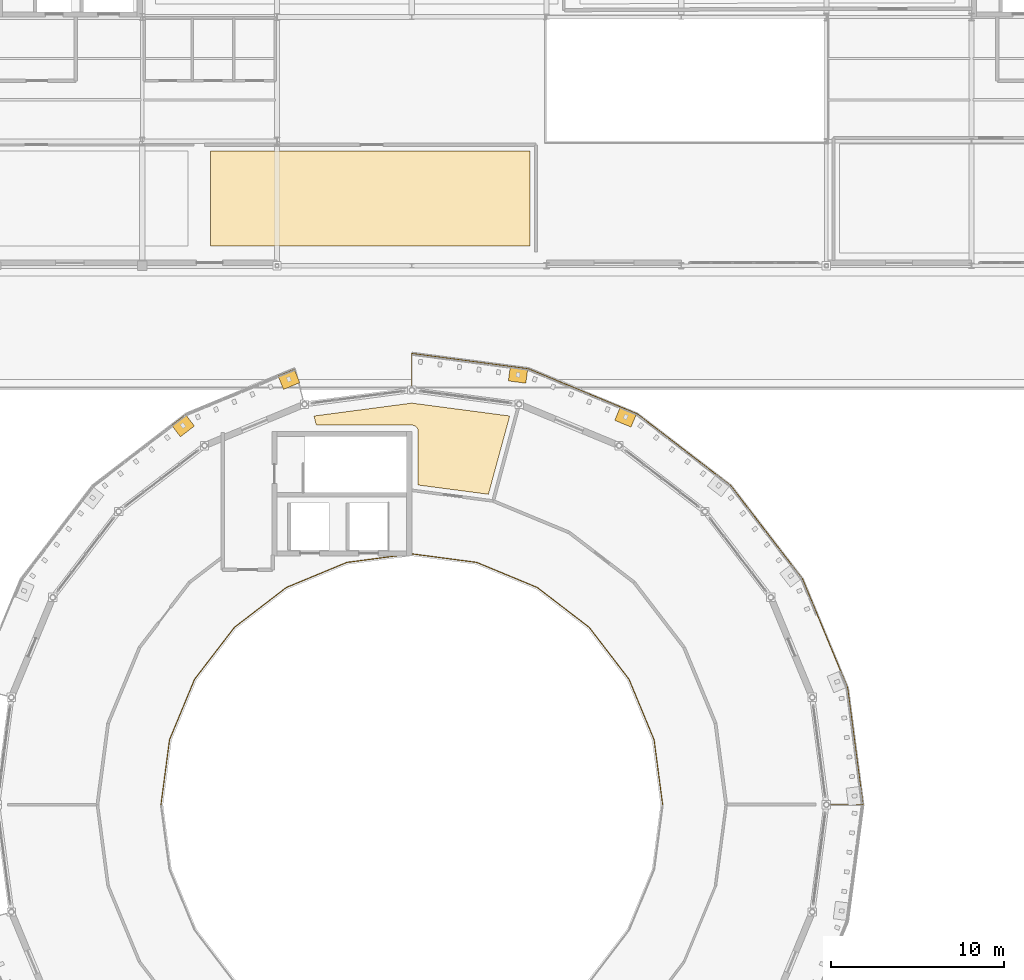
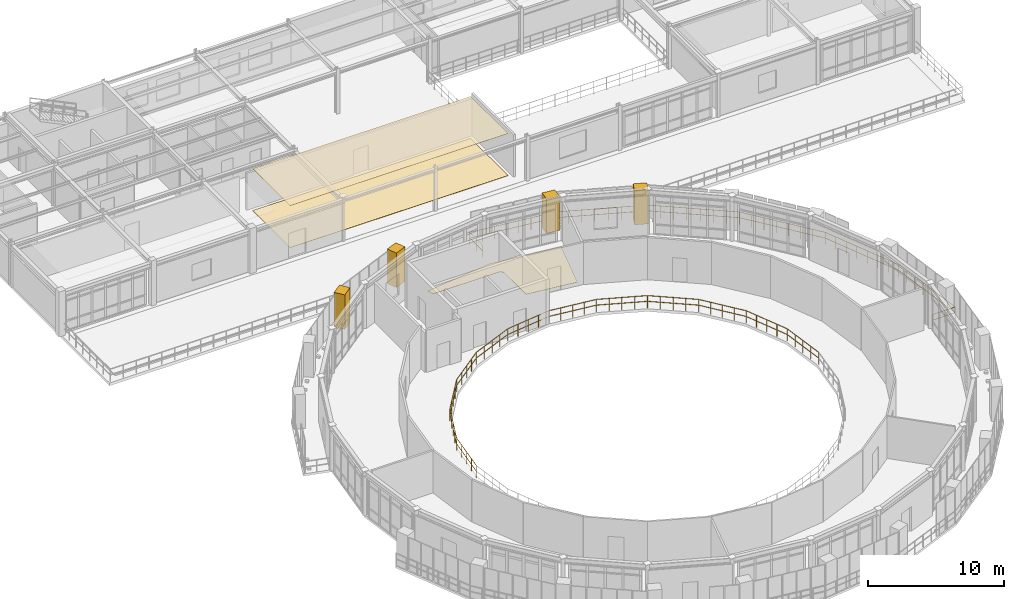
# One storey, part 54 of 58: 4 shading devices, 3 coverings, 2 railings.
"""IFC4 building model written with IfcOpenShell, lengths in metres."""

import ifcopenshell
import ifcopenshell.guid

model = None  # the IFC model being written
_history = None  # IfcOwnerHistory: only IFC2X3 demands one
_inside = {}  # id of a spatial element -> (the spatial element, [elements in it])
_under = {}  # id of a project, library or spatial element -> (it, [spatial elements below it])
_declared = {}  # id of a project -> (the project, [libraries it declares])
_typed = {}  # id of a type object -> (the type object, [elements of that type])
_made_of = {}  # id of a material, layer set ... -> (it, [elements and type objects made of it])


def new_model(schema):
    """Start an empty IFC model of exactly this schema.

    Asked for "IFC4X3", IfcOpenShell would pick the latest addendum, in which some entities
    have other attributes; the version numbers below select the first issue.
    IFC2X3 requires an IfcOwnerHistory on every rooted entity: one is made here for all.
    """
    global model, _history
    if schema == "IFC4X3":
        model = ifcopenshell.file(schema_version=(4, 3, 0, 0))
    else:
        model = ifcopenshell.file(schema=schema)
    _inside.clear()
    _under.clear()
    _declared.clear()
    _typed.clear()
    _made_of.clear()
    _history = None
    if model.schema == "IFC2X3":
        org = make("IfcOrganization", Name="unknown")
        user = make(
            "IfcPersonAndOrganization",
            ThePerson=make("IfcPerson", FamilyName="unknown"),
            TheOrganization=org,
        )
        app = make(
            "IfcApplication",
            ApplicationDeveloper=org,
            Version="unknown",
            ApplicationFullName="unknown",
            ApplicationIdentifier="unknown",
        )
        _history = make(
            "IfcOwnerHistory",
            OwningUser=user,
            OwningApplication=app,
            ChangeAction="ADDED",
            CreationDate=0,
        )
    return model


def make(cls, **values):
    """One entity of the class cls with the attributes given. An attribute that is None is left unset."""
    return model.create_entity(
        cls, **{name: value for name, value in values.items() if value is not None}
    )


def rooted(cls, **values):
    """An entity with a GlobalId (a new one), such as an element, a storey or a relation."""
    return make(cls, GlobalId=ifcopenshell.guid.new(), OwnerHistory=_history, **values)


def si_unit(unit_type, name, prefix=None):
    """IfcSIUnit, for example si_unit("LENGTHUNIT", "METRE", prefix="MILLI")."""
    return make("IfcSIUnit", UnitType=unit_type, Prefix=prefix, Name=name)


def derived_unit(unit_type, elements):
    """IfcDerivedUnit: a product of units, each with its exponent."""
    return make(
        "IfcDerivedUnit",
        Elements=[
            make("IfcDerivedUnitElement", Unit=unit, Exponent=power)
            for unit, power in elements
        ],
        UnitType=unit_type,
    )


def assignment(units):
    """IfcUnitAssignment: the units of a project."""
    return None if units is None else make("IfcUnitAssignment", Units=units)


def point(xyz):
    """IfcCartesianPoint."""
    return None if xyz is None else make("IfcCartesianPoint", Coordinates=xyz)


def direction(xyz):
    """IfcDirection."""
    return None if xyz is None else make("IfcDirection", DirectionRatios=xyz)


def frame(location, z_axis=None, x_axis=None):
    """IfcAxis2Placement3D, a coordinate frame: its origin and axes. An axis left out is left unset."""
    return make(
        "IfcAxis2Placement3D",
        Location=point(location),
        Axis=direction(z_axis),
        RefDirection=direction(x_axis),
    )


def frame_2d(location, x_axis=None):
    """IfcAxis2Placement2D, a coordinate frame in the plane: its origin and x axis."""
    return make(
        "IfcAxis2Placement2D", Location=point(location), RefDirection=direction(x_axis)
    )


def origin():
    """The frame at (0, 0, 0) with its axes left unset."""
    return frame((0.0, 0.0, 0.0))


def origin_2d():
    """The frame at (0, 0) in the plane with its x axis left unset."""
    return frame_2d((0.0, 0.0))


def place(relative_to, where):
    """IfcLocalPlacement: puts the frame where relative to a parent placement (None: the world)."""
    return make(
        "IfcLocalPlacement", PlacementRelTo=relative_to, RelativePlacement=where
    )


def context(
    kind, dimensions, precision=None, world=None, true_north=None, identifier=None
):
    """IfcGeometricRepresentationContext, for example the 3D "Model" context."""
    return make(
        "IfcGeometricRepresentationContext",
        ContextIdentifier=identifier,
        ContextType=kind,
        CoordinateSpaceDimension=dimensions,
        Precision=precision,
        WorldCoordinateSystem=world,
        TrueNorth=true_north,
    )


def subcontext(parent, identifier, kind, view, scale=None):
    """IfcGeometricRepresentationSubContext, for example "Body" below "Model"."""
    return make(
        "IfcGeometricRepresentationSubContext",
        ContextIdentifier=identifier,
        ContextType=kind,
        ParentContext=parent,
        TargetScale=scale,
        TargetView=view,
    )


def project(units=None, contexts=None):
    """IfcProject with its units and contexts."""
    return rooted(
        "IfcProject",
        Name="project",
        RepresentationContexts=contexts,
        UnitsInContext=assignment(units),
    )


def spatial(cls, under=None, at=None, **own):
    """A site, building, storey or space (cls), placed at a placement, below another one or the project."""
    s = rooted(cls, ObjectPlacement=at, **own)
    if under is not None:
        _under.setdefault(under.id(), (under, []))[1].append(s)
    return s


def polyline(points):
    """IfcPolyline through the points."""
    return make("IfcPolyline", Points=[point(p) for p in points])


def profile(cls, at=None, kind="AREA", **sizes):
    """A parametric profile (cls). Its sizes go by their IFC names, for example OverallWidth=200.0."""
    return make(cls, ProfileType=kind, Position=at, **sizes)


def rectangle(**sizes):
    """IfcRectangleProfileDef."""
    return profile("IfcRectangleProfileDef", **sizes)


def circle(**sizes):
    """IfcCircleProfileDef."""
    return profile("IfcCircleProfileDef", **sizes)


def outline(outer, holes=None, kind="AREA"):
    """IfcArbitraryClosedProfileDef: a profile drawn as a closed curve; with holes, ...WithVoids."""
    if holes is None:
        return make("IfcArbitraryClosedProfileDef", ProfileType=kind, OuterCurve=outer)
    return make(
        "IfcArbitraryProfileDefWithVoids",
        ProfileType=kind,
        OuterCurve=outer,
        InnerCurves=holes,
    )


def extrude(swept, where, along, depth):
    """IfcExtrudedAreaSolid: the profile swept, set in the frame where, extruded along a direction by depth."""
    return make(
        "IfcExtrudedAreaSolid",
        SweptArea=swept,
        Position=where,
        ExtrudedDirection=direction(along),
        Depth=depth,
    )


def shape(context_of_items, identifier, shape_type, items):
    """IfcShapeRepresentation: the items that make up one representation, for example the "Body"."""
    return make(
        "IfcShapeRepresentation",
        ContextOfItems=context_of_items,
        RepresentationIdentifier=identifier,
        RepresentationType=shape_type,
        Items=items,
    )


def material(Name=None, Category=None):
    """IfcMaterial."""
    return make("IfcMaterial", Name=Name, Category=Category)


def layer(
    of_material, thickness, ventilated=None, Name=None, Category=None, Priority=None
):
    """IfcMaterialLayer: one layer of a wall or slab, of a material (None: an air gap)."""
    return make(
        "IfcMaterialLayer",
        Material=of_material,
        LayerThickness=thickness,
        IsVentilated=ventilated,
        Name=Name,
        Category=Category,
        Priority=Priority,
    )


def layer_set(layers, Name=None):
    """IfcMaterialLayerSet."""
    return make("IfcMaterialLayerSet", MaterialLayers=layers, LayerSetName=Name)


def made_of(thing, what):
    """Note that an element or type object is made of a material, layer set ...; save() writes the relation."""
    if what is not None:
        _made_of.setdefault(what.id(), (what, []))[1].append(thing)
    return thing


def type_object(cls, material=None, **own):
    """A type object (cls), such as IfcWallType, which elements share."""
    return made_of(rooted(cls, **own), material)


def element(
    cls,
    number,
    at=None,
    inside=None,
    cuts=None,
    type_object=None,
    material=None,
    context=None,
    identifier="Body",
    shape_type=None,
    held_by="IfcProductDefinitionShape",
    body=None,
    shapes=None,
    **own,
):
    """One element of the class cls, such as IfcWall. Its Tag is "e" and its number.

    at: its placement. inside: the storey or other place that contains it. cuts: it is an
    opening in that element (IfcRelVoidsElement). A single representation is given by context,
    identifier, shape_type and body (its items); several are given by shapes. held_by: the class
    of the entity that holds the representations. save() writes the other relations.
    """
    e = rooted(cls, Tag="e%d" % number, ObjectPlacement=at, **own)
    if body is not None:
        shapes = [shape(context, identifier, shape_type, body)]
    if shapes is not None:
        e.Representation = make(held_by, Representations=shapes)
    if inside is not None:
        _inside.setdefault(inside.id(), (inside, []))[1].append(e)
    if cuts is not None:
        rooted(
            "IfcRelVoidsElement", RelatingBuildingElement=cuts, RelatedOpeningElement=e
        )
    if type_object is not None:
        _typed.setdefault(type_object.id(), (type_object, []))[1].append(e)
    return made_of(e, material)


def aggregate(whole, parts):
    """IfcRelAggregates: a whole, such as a stair, and the parts it consists of."""
    return rooted("IfcRelAggregates", RelatingObject=whole, RelatedObjects=parts)


def save(model, path):
    """Write the relations noted so far, then the file.

    IfcRelAggregates (storeys below a building ...), IfcRelContainedInSpatialStructure (elements
    in a storey), IfcRelDefinesByType, IfcRelAssociatesMaterial and IfcRelDeclares: one each for
    every whole, place, type object, material and project.
    """
    for whole, parts in _under.values():
        aggregate(whole, parts)
    for where, things in _inside.values():
        rooted(
            "IfcRelContainedInSpatialStructure",
            RelatedElements=things,
            RelatingStructure=where,
        )
    for kind, things in _typed.values():
        rooted("IfcRelDefinesByType", RelatedObjects=things, RelatingType=kind)
    for what, things in _made_of.values():
        rooted("IfcRelAssociatesMaterial", RelatedObjects=things, RelatingMaterial=what)
    for by, libraries in _declared.values():
        rooted("IfcRelDeclares", RelatingContext=by, RelatedDefinitions=libraries)
    model.write(path)


model = new_model("IFC4")

# Units and contexts
model_context = context("Model", 3, precision=1e-05, world=origin(), true_north=direction((0.0, 1.0)))
body_context = subcontext(model_context, "Body", "Model", "MODEL_VIEW")
ifc_project = project(units=[si_unit("LENGTHUNIT", "METRE"), si_unit("AREAUNIT", "SQUARE_METRE"), si_unit("VOLUMEUNIT", "CUBIC_METRE"), si_unit("PLANEANGLEUNIT", "RADIAN"), si_unit("MASSUNIT", "GRAM", prefix="KILO"), derived_unit("THERMALTRANSMITTANCEUNIT", [(si_unit("POWERUNIT", "WATT"), 1), (si_unit("AREAUNIT", "SQUARE_METRE"), -1), (si_unit("THERMODYNAMICTEMPERATUREUNIT", "KELVIN"), -1)])], contexts=[model_context])

# Site, building, storey
site_placement = place(None, origin())
site = spatial("IfcSite", under=ifc_project, at=site_placement, CompositionType="ELEMENT")
building_placement = place(site_placement, origin())
building = spatial("IfcBuilding", under=site, at=building_placement, Name="Yasenodar Specialist Clinic", CompositionType="ELEMENT")
storey_placement = place(building_placement, frame((0.0, 0.0, 17.25)))
storey = spatial("IfcBuildingStorey", under=building, at=storey_placement, Name="L04", CompositionType="ELEMENT", Elevation=17.25)

# Coverings
ifc_material_1 = material(Name="Hygienic Acoustic Mineral-Fibre Ceiling")
ifc_layer_1 = layer(ifc_material_1, 0.02490234375)
ifc_layer_set_1 = layer_set([ifc_layer_1], Name="Hygienic Acoustic Mineral-Fibre Ceiling")
covering_type_1 = type_object("IfcCoveringType", Name="COV-CEIL-AC", PredefinedType="CEILING", material=ifc_layer_set_1)
covering_1_placement = place(storey_placement, frame((0.0, 0.0, 3.764892578125)))
element("IfcCovering", 1, at=covering_1_placement, inside=storey, type_object=covering_type_1, Name="L04 Clinical Genomics Sequencing Laboratory Acoustic Ceiling", PredefinedType="CEILING", context=body_context, shape_type="SweptSolid", body=[
    extrude(outline(polyline([(87.85009765625, 91.14990234375), (69.35009765625, 91.14990234375), (69.35009765625, 96.64990234375), (87.85009765625, 96.64990234375), (87.85009765625, 91.14990234375)])), origin(), (0.0, 0.0, 1.0), 0.025146484375),
])
ifc_material_2 = material(Name="Seamless Epoxy Terrazzo Clinical Flooring")
ifc_layer_2 = layer(ifc_material_2, 0.02001953125)
ifc_layer_set_2 = layer_set([ifc_layer_2], Name="Seamless Epoxy Terrazzo Clinical Flooring")
covering_type_2 = type_object("IfcCoveringType", Name="COV-FLR-TERR", PredefinedType="FLOORING", material=ifc_layer_set_2)
covering_2_placement = place(storey_placement, origin())
element("IfcCovering", 2, at=covering_2_placement, inside=storey, type_object=covering_type_2, Name="L04 Clinical Genomics Sequencing Laboratory Terrazzo Flooring", PredefinedType="FLOORING", context=body_context, shape_type="SweptSolid", body=[
    extrude(outline(polyline([(87.85009765625, 91.14990234375), (69.35009765625, 91.14990234375), (69.35009765625, 96.64990234375), (87.85009765625, 96.64990234375), (87.85009765625, 91.14990234375)])), origin(), (0.0, 0.0, 1.0), 0.02001953125),
])
covering_3_placement = place(storey_placement, origin())
element("IfcCovering", 3, at=covering_3_placement, inside=storey, type_object=covering_type_2, Name="L04 Pulmonary Rehabilitation Day Lounge Terrazzo Flooring", PredefinedType="FLOORING", context=body_context, shape_type="SweptSolid", body=[
    extrude(outline(polyline([(86.666015625, 81.301025390625), (85.43310546875, 76.76904296875), (81.3701171875, 77.303955078125), (81.3701171875, 80.419921875), (81.367919921875, 80.4541015625), (81.363037109375, 80.488037109375), (81.35498046875, 80.52197265625), (81.343017578125, 80.553955078125), (81.3291015625, 80.5849609375), (81.31103515625, 80.614013671875), (81.291015625, 80.64208984375), (81.26708984375, 80.6669921875), (81.241943359375, 80.69091796875), (81.214111328125, 80.7109375), (81.18505859375, 80.72900390625), (81.154052734375, 80.742919921875), (81.1220703125, 80.7548828125), (81.087890625, 80.762939453125), (81.053955078125, 80.76806640625), (81.02001953125, 80.77001953125), (75.47607421875, 80.77001953125), (75.3330078125, 81.301025390625), (81.0, 82.047119140625), (86.666015625, 81.301025390625)])), origin(), (0.0, 0.0, 1.0), 0.02001953125),
])

# Railings
ifc_material_3 = material(Name="Bronze Anodized Aluminium and Larch Balustrade", Category="aluminium")
railing_type_1 = type_object("IfcRailingType", Name="RL-BAL-1120", PredefinedType="BALUSTRADE", material=ifc_material_3)
railing_1_placement = place(storey_placement, frame((105.219970703125, 58.800048828125, 0.0)))
element("IfcRailing", 4, at=railing_1_placement, inside=storey, type_object=railing_type_1, Name="L04 Drum V1 Balcony Balustrade 1", PredefinedType="BALUSTRADE", context=body_context, shape_type="SweptSolid", body=[
    extrude(circle(Radius=0.02392578125, at=origin_2d()), frame((0.0, 0.0, 1.09619140625), z_axis=(1.0, 0.0, 0.0), x_axis=(0.0, 1.0, 0.0)), (0.0, 0.0, 1.0), 1.900146484375),
    extrude(circle(Radius=0.02392578125, at=origin_2d()), frame((0.0, 0.0, 0.58251953125), z_axis=(1.0, 0.0, 0.0), x_axis=(0.0, 1.0, 0.0)), (0.0, 0.0, 1.0), 1.900146484375),
    extrude(circle(Radius=0.02392578125, at=origin_2d()), frame((1.900146484375, 0.0, 1.09619140625), z_axis=(-0.130545279945, 0.99144234824, 0.0), x_axis=(-0.99144234824, -0.130545279945, 0.0)), (0.0, 0.0, 1.0), 6.818603515625),
    extrude(circle(Radius=0.02392578125, at=origin_2d()), frame((1.900146484375, 0.0, 0.58251953125), z_axis=(-0.130545279945, 0.99144234824, 0.0), x_axis=(-0.99144234824, -0.130545279945, 0.0)), (0.0, 0.0, 1.0), 6.818603515625),
    extrude(circle(Radius=0.02392578125, at=origin_2d()), frame((1.010009765625, 6.76025390625, 1.09619140625), z_axis=(-0.382672223843, 0.923884175154, 0.0), x_axis=(-0.923884175154, -0.382672223843, 0.0)), (0.0, 0.0, 1.0), 6.81884765625),
    extrude(circle(Radius=0.02392578125, at=origin_2d()), frame((1.010009765625, 6.76025390625, 0.58251953125), z_axis=(-0.382672223843, 0.923884175154, 0.0), x_axis=(-0.923884175154, -0.382672223843, 0.0)), (0.0, 0.0, 1.0), 6.81884765625),
    extrude(circle(Radius=0.02392578125, at=origin_2d()), frame((-1.599365234375, 13.06005859375, 1.09619140625), z_axis=(-0.608791534996, 0.793330238247, 0.0), x_axis=(-0.793330238247, -0.608791534996, 0.0)), (0.0, 0.0, 1.0), 6.818603515625),
    extrude(circle(Radius=0.02392578125, at=origin_2d()), frame((-1.599365234375, 13.06005859375, 0.58251953125), z_axis=(-0.608791534996, 0.793330238247, 0.0), x_axis=(-0.793330238247, -0.608791534996, 0.0)), (0.0, 0.0, 1.0), 6.818603515625),
    extrude(circle(Radius=0.02392578125, at=origin_2d()), frame((-5.75048828125, 18.469482421875, 1.09619140625), z_axis=(-0.793330238247, 0.608791534996, 0.0), x_axis=(-0.608791534996, -0.793330238247, 0.0)), (0.0, 0.0, 1.0), 6.818603515625),
    extrude(circle(Radius=0.02392578125, at=origin_2d()), frame((-5.75048828125, 18.469482421875, 0.58251953125), z_axis=(-0.793330238247, 0.608791534996, 0.0), x_axis=(-0.608791534996, -0.793330238247, 0.0)), (0.0, 0.0, 1.0), 6.818603515625),
    extrude(circle(Radius=0.02392578125, at=origin_2d()), frame((-11.159912109375, 22.62060546875, 1.09619140625), z_axis=(-0.923878931839, 0.382684882513, 0.0), x_axis=(-0.382684882513, -0.923878931839, 0.0)), (0.0, 0.0, 1.0), 6.818603515625),
    extrude(circle(Radius=0.02392578125, at=origin_2d()), frame((-11.159912109375, 22.62060546875, 0.58251953125), z_axis=(-0.923878931839, 0.382684882513, 0.0), x_axis=(-0.382684882513, -0.923878931839, 0.0)), (0.0, 0.0, 1.0), 6.818603515625),
    extrude(circle(Radius=0.02392578125, at=origin_2d()), frame((-17.45947265625, 25.22998046875, 1.09619140625), z_axis=(-0.991447591654, 0.130505452009, 0.0), x_axis=(-0.130505452009, -0.991447591654, 0.0)), (0.0, 0.0, 1.0), 6.81884765625),
    extrude(circle(Radius=0.02392578125, at=origin_2d()), frame((-17.45947265625, 25.22998046875, 0.58251953125), z_axis=(-0.991447591654, 0.130505452009, 0.0), x_axis=(-0.130505452009, -0.991447591654, 0.0)), (0.0, 0.0, 1.0), 6.81884765625),
    extrude(circle(Radius=0.02392578125, at=origin_2d()), frame((-24.219970703125, 26.119873046875, 1.09619140625), z_axis=(0.0, -1.0, 0.0), x_axis=(1.0, 0.0, 0.0)), (0.0, 0.0, 1.0), 1.89990234375),
    extrude(circle(Radius=0.02392578125, at=origin_2d()), frame((-24.219970703125, 26.119873046875, 0.58251953125), z_axis=(0.0, -1.0, 0.0), x_axis=(1.0, 0.0, 0.0)), (0.0, 0.0, 1.0), 1.89990234375),
    extrude(circle(Radius=0.02099609375, at=origin_2d()), origin(), (0.0, 0.0, 1.0), 1.072021484375),
    extrude(circle(Radius=0.02099609375, at=origin_2d()), frame((0.9501953125, 0.0, 0.0)), (0.0, 0.0, 1.0), 1.072021484375),
    extrude(circle(Radius=0.02099609375, at=origin_2d()), frame((1.900146484375, 0.0, 0.0)), (0.0, 0.0, 1.0), 1.072021484375),
    extrude(circle(Radius=0.02099609375, at=origin_2d()), frame((1.77294921875, 0.9658203125, 0.0)), (0.0, 0.0, 1.0), 1.072021484375),
    extrude(circle(Radius=0.02099609375, at=origin_2d()), frame((1.645751953125, 1.931396484375, 0.0)), (0.0, 0.0, 1.0), 1.072021484375),
    extrude(circle(Radius=0.02099609375, at=origin_2d()), frame((1.5185546875, 2.897216796875, 0.0)), (0.0, 0.0, 1.0), 1.072021484375),
    extrude(circle(Radius=0.02099609375, at=origin_2d()), frame((1.3916015625, 3.863037109375, 0.0)), (0.0, 0.0, 1.0), 1.072021484375),
    extrude(circle(Radius=0.02099609375, at=origin_2d()), frame((1.264404296875, 4.828857421875, 0.0)), (0.0, 0.0, 1.0), 1.072021484375),
    extrude(circle(Radius=0.02099609375, at=origin_2d()), frame((1.13720703125, 5.79443359375, 0.0)), (0.0, 0.0, 1.0), 1.072021484375),
    extrude(circle(Radius=0.02099609375, at=origin_2d()), frame((1.010009765625, 6.76025390625, 0.0)), (0.0, 0.0, 1.0), 1.072021484375),
    extrude(circle(Radius=0.02099609375, at=origin_2d()), frame((0.63720703125, 7.66015625, 0.0)), (0.0, 0.0, 1.0), 1.072021484375),
    extrude(circle(Radius=0.02099609375, at=origin_2d()), frame((0.264404296875, 8.560302734375, 0.0)), (0.0, 0.0, 1.0), 1.072021484375),
    extrude(circle(Radius=0.02099609375, at=origin_2d()), frame((-0.1083984375, 9.460205078125, 0.0)), (0.0, 0.0, 1.0), 1.072021484375),
    extrude(circle(Radius=0.02099609375, at=origin_2d()), frame((-0.48095703125, 10.360107421875, 0.0)), (0.0, 0.0, 1.0), 1.072021484375),
    extrude(circle(Radius=0.02099609375, at=origin_2d()), frame((-0.853759765625, 11.260009765625, 0.0)), (0.0, 0.0, 1.0), 1.072021484375),
    extrude(circle(Radius=0.02099609375, at=origin_2d()), frame((-1.2265625, 12.16015625, 0.0)), (0.0, 0.0, 1.0), 1.072021484375),
    extrude(circle(Radius=0.02099609375, at=origin_2d()), frame((-1.599365234375, 13.06005859375, 0.0)), (0.0, 0.0, 1.0), 1.072021484375),
    extrude(circle(Radius=0.02099609375, at=origin_2d()), frame((-2.1923828125, 13.832763671875, 0.0)), (0.0, 0.0, 1.0), 1.072021484375),
    extrude(circle(Radius=0.02099609375, at=origin_2d()), frame((-2.785400390625, 14.605712890625, 0.0)), (0.0, 0.0, 1.0), 1.072021484375),
    extrude(circle(Radius=0.02099609375, at=origin_2d()), frame((-3.37841796875, 15.37841796875, 0.0)), (0.0, 0.0, 1.0), 1.072021484375),
    extrude(circle(Radius=0.02099609375, at=origin_2d()), frame((-3.971435546875, 16.151123046875, 0.0)), (0.0, 0.0, 1.0), 1.072021484375),
    extrude(circle(Radius=0.02099609375, at=origin_2d()), frame((-4.564453125, 16.923828125, 0.0)), (0.0, 0.0, 1.0), 1.072021484375),
    extrude(circle(Radius=0.02099609375, at=origin_2d()), frame((-5.157470703125, 17.69677734375, 0.0)), (0.0, 0.0, 1.0), 1.072021484375),
    extrude(circle(Radius=0.02099609375, at=origin_2d()), frame((-5.75048828125, 18.469482421875, 0.0)), (0.0, 0.0, 1.0), 1.072021484375),
    extrude(circle(Radius=0.02099609375, at=origin_2d()), frame((-6.523193359375, 19.0625, 0.0)), (0.0, 0.0, 1.0), 1.072021484375),
    extrude(circle(Radius=0.02099609375, at=origin_2d()), frame((-7.296142578125, 19.655517578125, 0.0)), (0.0, 0.0, 1.0), 1.072021484375),
    extrude(circle(Radius=0.02099609375, at=origin_2d()), frame((-8.06884765625, 20.24853515625, 0.0)), (0.0, 0.0, 1.0), 1.072021484375),
    extrude(circle(Radius=0.02099609375, at=origin_2d()), frame((-8.841552734375, 20.841552734375, 0.0)), (0.0, 0.0, 1.0), 1.072021484375),
    extrude(circle(Radius=0.02099609375, at=origin_2d()), frame((-9.6142578125, 21.4345703125, 0.0)), (0.0, 0.0, 1.0), 1.072021484375),
    extrude(circle(Radius=0.02099609375, at=origin_2d()), frame((-10.38720703125, 22.027587890625, 0.0)), (0.0, 0.0, 1.0), 1.072021484375),
    extrude(circle(Radius=0.02099609375, at=origin_2d()), frame((-11.159912109375, 22.62060546875, 0.0)), (0.0, 0.0, 1.0), 1.072021484375),
    extrude(circle(Radius=0.02099609375, at=origin_2d()), frame((-12.059814453125, 22.993408203125, 0.0)), (0.0, 0.0, 1.0), 1.072021484375),
    extrude(circle(Radius=0.02099609375, at=origin_2d()), frame((-12.959716796875, 23.3662109375, 0.0)), (0.0, 0.0, 1.0), 1.072021484375),
    extrude(circle(Radius=0.02099609375, at=origin_2d()), frame((-13.859619140625, 23.739013671875, 0.0)), (0.0, 0.0, 1.0), 1.072021484375),
    extrude(circle(Radius=0.02099609375, at=origin_2d()), frame((-14.759765625, 24.111572265625, 0.0)), (0.0, 0.0, 1.0), 1.072021484375),
    extrude(circle(Radius=0.02099609375, at=origin_2d()), frame((-15.65966796875, 24.484375, 0.0)), (0.0, 0.0, 1.0), 1.072021484375),
    extrude(circle(Radius=0.02099609375, at=origin_2d()), frame((-16.5595703125, 24.857177734375, 0.0)), (0.0, 0.0, 1.0), 1.072021484375),
    extrude(circle(Radius=0.02099609375, at=origin_2d()), frame((-17.45947265625, 25.22998046875, 0.0)), (0.0, 0.0, 1.0), 1.072021484375),
    extrude(circle(Radius=0.02099609375, at=origin_2d()), frame((-18.42529296875, 25.357177734375, 0.0)), (0.0, 0.0, 1.0), 1.072021484375),
    extrude(circle(Radius=0.02099609375, at=origin_2d()), frame((-19.39111328125, 25.484130859375, 0.0)), (0.0, 0.0, 1.0), 1.072021484375),
    extrude(circle(Radius=0.02099609375, at=origin_2d()), frame((-20.35693359375, 25.611328125, 0.0)), (0.0, 0.0, 1.0), 1.072021484375),
    extrude(circle(Radius=0.02099609375, at=origin_2d()), frame((-21.322509765625, 25.738525390625, 0.0)), (0.0, 0.0, 1.0), 1.072021484375),
    extrude(circle(Radius=0.02099609375, at=origin_2d()), frame((-22.288330078125, 25.86572265625, 0.0)), (0.0, 0.0, 1.0), 1.072021484375),
    extrude(circle(Radius=0.02099609375, at=origin_2d()), frame((-23.254150390625, 25.99267578125, 0.0)), (0.0, 0.0, 1.0), 1.072021484375),
    extrude(circle(Radius=0.02099609375, at=origin_2d()), frame((-24.219970703125, 26.119873046875, 0.0)), (0.0, 0.0, 1.0), 1.072021484375),
    extrude(circle(Radius=0.02099609375, at=origin_2d()), frame((-24.219970703125, 25.169921875, 0.0)), (0.0, 0.0, 1.0), 1.072021484375),
    extrude(circle(Radius=0.02099609375, at=origin_2d()), frame((-24.219970703125, 24.219970703125, 0.0)), (0.0, 0.0, 1.0), 1.072021484375),
])
ifc_material_4 = material(Name="Steel S355 Painted Stair Guardrail", Category="steel")
railing_type_2 = type_object("IfcRailingType", Name="RL-ST-GRD", PredefinedType="GUARDRAIL", material=ifc_material_4)
railing_2_placement = place(storey_placement, frame((95.52001953125, 58.800048828125, 0.0)))
element("IfcRailing", 5, at=railing_2_placement, inside=storey, type_object=railing_type_2, Name="L04 Drum V1 Central Atrium North Guardrail", PredefinedType="GUARDRAIL", context=body_context, shape_type="SweptSolid", body=[
    extrude(circle(Radius=0.02392578125, at=origin_2d()), frame((0.0, 0.0, 1.09619140625), z_axis=(-0.130556144994, 0.991440917556, 0.0), x_axis=(-0.991440917556, -0.130556144994, 0.0)), (0.0, 0.0, 1.0), 3.79052734375),
    extrude(circle(Radius=0.02392578125, at=origin_2d()), frame((0.0, 0.0, 0.58251953125), z_axis=(-0.130556144994, 0.991440917556, 0.0), x_axis=(-0.991440917556, -0.130556144994, 0.0)), (0.0, 0.0, 1.0), 3.79052734375),
    extrude(circle(Radius=0.02392578125, at=origin_2d()), frame((-0.494873046875, 3.758056640625, 1.09619140625), z_axis=(-0.382657079616, 0.923890447737, 0.0), x_axis=(-0.923890447737, -0.382657079616, 0.0)), (0.0, 0.0, 1.0), 3.79052734375),
    extrude(circle(Radius=0.02392578125, at=origin_2d()), frame((-0.494873046875, 3.758056640625, 0.58251953125), z_axis=(-0.382657079616, 0.923890447737, 0.0), x_axis=(-0.923890447737, -0.382657079616, 0.0)), (0.0, 0.0, 1.0), 3.79052734375),
    extrude(circle(Radius=0.02392578125, at=origin_2d()), frame((-1.9453125, 7.260009765625, 1.09619140625), z_axis=(-0.608795217876, 0.793327412038, 0.0), x_axis=(-0.793327412038, -0.608795217876, 0.0)), (0.0, 0.0, 1.0), 3.79052734375),
    extrude(circle(Radius=0.02392578125, at=origin_2d()), frame((-1.9453125, 7.260009765625, 0.58251953125), z_axis=(-0.608795217876, 0.793327412038, 0.0), x_axis=(-0.793327412038, -0.608795217876, 0.0)), (0.0, 0.0, 1.0), 3.79052734375),
    extrude(circle(Radius=0.02392578125, at=origin_2d()), frame((-4.2529296875, 10.26708984375, 1.09619140625), z_axis=(-0.793327412038, 0.608795217876, 0.0), x_axis=(-0.608795217876, -0.793327412038, 0.0)), (0.0, 0.0, 1.0), 3.79052734375),
    extrude(circle(Radius=0.02392578125, at=origin_2d()), frame((-4.2529296875, 10.26708984375, 0.58251953125), z_axis=(-0.793327412038, 0.608795217876, 0.0), x_axis=(-0.608795217876, -0.793327412038, 0.0)), (0.0, 0.0, 1.0), 3.79052734375),
    extrude(circle(Radius=0.02392578125, at=origin_2d()), frame((-7.260009765625, 12.57470703125, 1.09619140625), z_axis=(-0.923890447737, 0.382657079616, 0.0), x_axis=(-0.382657079616, -0.923890447737, 0.0)), (0.0, 0.0, 1.0), 3.79052734375),
    extrude(circle(Radius=0.02392578125, at=origin_2d()), frame((-7.260009765625, 12.57470703125, 0.58251953125), z_axis=(-0.923890447737, 0.382657079616, 0.0), x_axis=(-0.382657079616, -0.923890447737, 0.0)), (0.0, 0.0, 1.0), 3.79052734375),
    extrude(circle(Radius=0.02392578125, at=origin_2d()), frame((-10.761962890625, 14.025146484375, 1.09619140625), z_axis=(-0.991440917556, 0.130556144994, 0.0), x_axis=(-0.130556144994, -0.991440917556, 0.0)), (0.0, 0.0, 1.0), 3.79052734375),
    extrude(circle(Radius=0.02392578125, at=origin_2d()), frame((-10.761962890625, 14.025146484375, 0.58251953125), z_axis=(-0.991440917556, 0.130556144994, 0.0), x_axis=(-0.130556144994, -0.991440917556, 0.0)), (0.0, 0.0, 1.0), 3.79052734375),
    extrude(circle(Radius=0.02392578125, at=origin_2d()), frame((-14.52001953125, 14.52001953125, 1.09619140625), z_axis=(-0.991440917556, -0.130556144994, 0.0), x_axis=(0.130556144994, -0.991440917556, 0.0)), (0.0, 0.0, 1.0), 3.79052734375),
    extrude(circle(Radius=0.02392578125, at=origin_2d()), frame((-14.52001953125, 14.52001953125, 0.58251953125), z_axis=(-0.991440917556, -0.130556144994, 0.0), x_axis=(0.130556144994, -0.991440917556, 0.0)), (0.0, 0.0, 1.0), 3.79052734375),
    extrude(circle(Radius=0.02392578125, at=origin_2d()), frame((-18.278076171875, 14.025146484375, 1.09619140625), z_axis=(-0.923890447737, -0.382657079616, 0.0), x_axis=(0.382657079616, -0.923890447737, 0.0)), (0.0, 0.0, 1.0), 3.79052734375),
    extrude(circle(Radius=0.02392578125, at=origin_2d()), frame((-18.278076171875, 14.025146484375, 0.58251953125), z_axis=(-0.923890447737, -0.382657079616, 0.0), x_axis=(0.382657079616, -0.923890447737, 0.0)), (0.0, 0.0, 1.0), 3.79052734375),
    extrude(circle(Radius=0.02392578125, at=origin_2d()), frame((-21.780029296875, 12.57470703125, 1.09619140625), z_axis=(-0.793327412038, -0.608795217876, 0.0), x_axis=(0.608795217876, -0.793327412038, 0.0)), (0.0, 0.0, 1.0), 3.79052734375),
    extrude(circle(Radius=0.02392578125, at=origin_2d()), frame((-21.780029296875, 12.57470703125, 0.58251953125), z_axis=(-0.793327412038, -0.608795217876, 0.0), x_axis=(0.608795217876, -0.793327412038, 0.0)), (0.0, 0.0, 1.0), 3.79052734375),
    extrude(circle(Radius=0.02392578125, at=origin_2d()), frame((-24.787109375, 10.26708984375, 1.09619140625), z_axis=(-0.608795217876, -0.793327412038, 0.0), x_axis=(0.793327412038, -0.608795217876, 0.0)), (0.0, 0.0, 1.0), 3.79052734375),
    extrude(circle(Radius=0.02392578125, at=origin_2d()), frame((-24.787109375, 10.26708984375, 0.58251953125), z_axis=(-0.608795217876, -0.793327412038, 0.0), x_axis=(0.793327412038, -0.608795217876, 0.0)), (0.0, 0.0, 1.0), 3.79052734375),
    extrude(circle(Radius=0.02392578125, at=origin_2d()), frame((-27.0947265625, 7.260009765625, 1.09619140625), z_axis=(-0.382657079616, -0.923890447737, 0.0), x_axis=(0.923890447737, -0.382657079616, 0.0)), (0.0, 0.0, 1.0), 3.79052734375),
    extrude(circle(Radius=0.02392578125, at=origin_2d()), frame((-27.0947265625, 7.260009765625, 0.58251953125), z_axis=(-0.382657079616, -0.923890447737, 0.0), x_axis=(0.923890447737, -0.382657079616, 0.0)), (0.0, 0.0, 1.0), 3.79052734375),
    extrude(circle(Radius=0.02392578125, at=origin_2d()), frame((-28.545166015625, 3.758056640625, 1.09619140625), z_axis=(-0.130556144994, -0.991440917556, 0.0), x_axis=(0.991440917556, -0.130556144994, 0.0)), (0.0, 0.0, 1.0), 3.79052734375),
    extrude(circle(Radius=0.02392578125, at=origin_2d()), frame((-28.545166015625, 3.758056640625, 0.58251953125), z_axis=(-0.130556144994, -0.991440917556, 0.0), x_axis=(0.991440917556, -0.130556144994, 0.0)), (0.0, 0.0, 1.0), 3.79052734375),
    extrude(circle(Radius=0.02099609375, at=origin_2d()), origin(), (0.0, 0.0, 1.0), 1.072021484375),
    extrude(circle(Radius=0.02099609375, at=origin_2d()), frame((-0.123779296875, 0.939453125, 0.0)), (0.0, 0.0, 1.0), 1.072021484375),
    extrude(circle(Radius=0.02099609375, at=origin_2d()), frame((-0.24755859375, 1.87890625, 0.0)), (0.0, 0.0, 1.0), 1.072021484375),
    extrude(circle(Radius=0.02099609375, at=origin_2d()), frame((-0.37109375, 2.818603515625, 0.0)), (0.0, 0.0, 1.0), 1.072021484375),
    extrude(circle(Radius=0.02099609375, at=origin_2d()), frame((-0.494873046875, 3.758056640625, 0.0)), (0.0, 0.0, 1.0), 1.072021484375),
    extrude(circle(Radius=0.02099609375, at=origin_2d()), frame((-0.857421875, 4.633544921875, 0.0)), (0.0, 0.0, 1.0), 1.072021484375),
    extrude(circle(Radius=0.02099609375, at=origin_2d()), frame((-1.22021484375, 5.509033203125, 0.0)), (0.0, 0.0, 1.0), 1.072021484375),
    extrude(circle(Radius=0.02099609375, at=origin_2d()), frame((-1.582763671875, 6.384521484375, 0.0)), (0.0, 0.0, 1.0), 1.072021484375),
    extrude(circle(Radius=0.02099609375, at=origin_2d()), frame((-1.9453125, 7.260009765625, 0.0)), (0.0, 0.0, 1.0), 1.072021484375),
    extrude(circle(Radius=0.02099609375, at=origin_2d()), frame((-2.522216796875, 8.01171875, 0.0)), (0.0, 0.0, 1.0), 1.072021484375),
    extrude(circle(Radius=0.02099609375, at=origin_2d()), frame((-3.09912109375, 8.763671875, 0.0)), (0.0, 0.0, 1.0), 1.072021484375),
    extrude(circle(Radius=0.02099609375, at=origin_2d()), frame((-3.676025390625, 9.515380859375, 0.0)), (0.0, 0.0, 1.0), 1.072021484375),
    extrude(circle(Radius=0.02099609375, at=origin_2d()), frame((-4.2529296875, 10.26708984375, 0.0)), (0.0, 0.0, 1.0), 1.072021484375),
    extrude(circle(Radius=0.02099609375, at=origin_2d()), frame((-5.004638671875, 10.843994140625, 0.0)), (0.0, 0.0, 1.0), 1.072021484375),
    extrude(circle(Radius=0.02099609375, at=origin_2d()), frame((-5.75634765625, 11.4208984375, 0.0)), (0.0, 0.0, 1.0), 1.072021484375),
    extrude(circle(Radius=0.02099609375, at=origin_2d()), frame((-6.50830078125, 11.997802734375, 0.0)), (0.0, 0.0, 1.0), 1.072021484375),
    extrude(circle(Radius=0.02099609375, at=origin_2d()), frame((-7.260009765625, 12.57470703125, 0.0)), (0.0, 0.0, 1.0), 1.072021484375),
    extrude(circle(Radius=0.02099609375, at=origin_2d()), frame((-8.135498046875, 12.937255859375, 0.0)), (0.0, 0.0, 1.0), 1.072021484375),
    extrude(circle(Radius=0.02099609375, at=origin_2d()), frame((-9.010986328125, 13.2998046875, 0.0)), (0.0, 0.0, 1.0), 1.072021484375),
    extrude(circle(Radius=0.02099609375, at=origin_2d()), frame((-9.886474609375, 13.66259765625, 0.0)), (0.0, 0.0, 1.0), 1.072021484375),
    extrude(circle(Radius=0.02099609375, at=origin_2d()), frame((-10.761962890625, 14.025146484375, 0.0)), (0.0, 0.0, 1.0), 1.072021484375),
    extrude(circle(Radius=0.02099609375, at=origin_2d()), frame((-11.701416015625, 14.14892578125, 0.0)), (0.0, 0.0, 1.0), 1.072021484375),
    extrude(circle(Radius=0.02099609375, at=origin_2d()), frame((-12.64111328125, 14.2724609375, 0.0)), (0.0, 0.0, 1.0), 1.072021484375),
    extrude(circle(Radius=0.02099609375, at=origin_2d()), frame((-13.58056640625, 14.396240234375, 0.0)), (0.0, 0.0, 1.0), 1.072021484375),
    extrude(circle(Radius=0.02099609375, at=origin_2d()), frame((-14.52001953125, 14.52001953125, 0.0)), (0.0, 0.0, 1.0), 1.072021484375),
    extrude(circle(Radius=0.02099609375, at=origin_2d()), frame((-15.45947265625, 14.396240234375, 0.0)), (0.0, 0.0, 1.0), 1.072021484375),
    extrude(circle(Radius=0.02099609375, at=origin_2d()), frame((-16.39892578125, 14.2724609375, 0.0)), (0.0, 0.0, 1.0), 1.072021484375),
    extrude(circle(Radius=0.02099609375, at=origin_2d()), frame((-17.338623046875, 14.14892578125, 0.0)), (0.0, 0.0, 1.0), 1.072021484375),
    extrude(circle(Radius=0.02099609375, at=origin_2d()), frame((-18.278076171875, 14.025146484375, 0.0)), (0.0, 0.0, 1.0), 1.072021484375),
    extrude(circle(Radius=0.02099609375, at=origin_2d()), frame((-19.153564453125, 13.66259765625, 0.0)), (0.0, 0.0, 1.0), 1.072021484375),
    extrude(circle(Radius=0.02099609375, at=origin_2d()), frame((-20.029052734375, 13.2998046875, 0.0)), (0.0, 0.0, 1.0), 1.072021484375),
    extrude(circle(Radius=0.02099609375, at=origin_2d()), frame((-20.904541015625, 12.937255859375, 0.0)), (0.0, 0.0, 1.0), 1.072021484375),
    extrude(circle(Radius=0.02099609375, at=origin_2d()), frame((-21.780029296875, 12.57470703125, 0.0)), (0.0, 0.0, 1.0), 1.072021484375),
    extrude(circle(Radius=0.02099609375, at=origin_2d()), frame((-22.53173828125, 11.997802734375, 0.0)), (0.0, 0.0, 1.0), 1.072021484375),
    extrude(circle(Radius=0.02099609375, at=origin_2d()), frame((-23.28369140625, 11.4208984375, 0.0)), (0.0, 0.0, 1.0), 1.072021484375),
    extrude(circle(Radius=0.02099609375, at=origin_2d()), frame((-24.035400390625, 10.843994140625, 0.0)), (0.0, 0.0, 1.0), 1.072021484375),
    extrude(circle(Radius=0.02099609375, at=origin_2d()), frame((-24.787109375, 10.26708984375, 0.0)), (0.0, 0.0, 1.0), 1.072021484375),
    extrude(circle(Radius=0.02099609375, at=origin_2d()), frame((-25.364013671875, 9.515380859375, 0.0)), (0.0, 0.0, 1.0), 1.072021484375),
    extrude(circle(Radius=0.02099609375, at=origin_2d()), frame((-25.94091796875, 8.763671875, 0.0)), (0.0, 0.0, 1.0), 1.072021484375),
    extrude(circle(Radius=0.02099609375, at=origin_2d()), frame((-26.517822265625, 8.01171875, 0.0)), (0.0, 0.0, 1.0), 1.072021484375),
    extrude(circle(Radius=0.02099609375, at=origin_2d()), frame((-27.0947265625, 7.260009765625, 0.0)), (0.0, 0.0, 1.0), 1.072021484375),
    extrude(circle(Radius=0.02099609375, at=origin_2d()), frame((-27.457275390625, 6.384521484375, 0.0)), (0.0, 0.0, 1.0), 1.072021484375),
    extrude(circle(Radius=0.02099609375, at=origin_2d()), frame((-27.81982421875, 5.509033203125, 0.0)), (0.0, 0.0, 1.0), 1.072021484375),
    extrude(circle(Radius=0.02099609375, at=origin_2d()), frame((-28.1826171875, 4.633544921875, 0.0)), (0.0, 0.0, 1.0), 1.072021484375),
    extrude(circle(Radius=0.02099609375, at=origin_2d()), frame((-28.545166015625, 3.758056640625, 0.0)), (0.0, 0.0, 1.0), 1.072021484375),
    extrude(circle(Radius=0.02099609375, at=origin_2d()), frame((-28.6689453125, 2.818603515625, 0.0)), (0.0, 0.0, 1.0), 1.072021484375),
    extrude(circle(Radius=0.02099609375, at=origin_2d()), frame((-28.79248046875, 1.87890625, 0.0)), (0.0, 0.0, 1.0), 1.072021484375),
    extrude(circle(Radius=0.02099609375, at=origin_2d()), frame((-28.916259765625, 0.939453125, 0.0)), (0.0, 0.0, 1.0), 1.072021484375),
    extrude(circle(Radius=0.02099609375, at=origin_2d()), frame((-29.0400390625, 0.0, 0.0)), (0.0, 0.0, 1.0), 1.072021484375),
])

# Shading devices
ifc_material_5 = material(Name="Thermally Modified Larch and Bronze Girih Jali Shutter")
shading_device_type = type_object("IfcShadingDeviceType", Name="SHD-JALI-850", PredefinedType="SHUTTER", material=ifc_material_5)
for number, where, z_axis, x_axis, name in (
    (6, (93.382080078125, 81.24609375, -0.005126953125), (0.0, 0.0, 1.0), (-0.923878192594, 0.382686667195, 0.0), "L04 Mughal Girih Jali Sliding Shutter Frame 0352"),
    (7, (87.150634765625, 83.68603515625, -0.005126953125), (0.0, 0.0, 1.0), (-0.991445783754, 0.130519185854, 0.0), "L04 Mughal Girih Jali Sliding Shutter Frame 0358"),
    (8, (73.8837890625, 83.42724609375, -0.005126953125), (0.0, 0.0, 1.0), (-0.923878192594, -0.382686667195, 0.0), "L04 Mughal Girih Jali Sliding Shutter Frame 0364"),
    (9, (67.752197265625, 80.74609375, -0.005126953125), (0.0, 0.0, 1.0), (-0.793351200869, -0.608764217148, 0.0), "L04 Mughal Girih Jali Sliding Shutter Frame 0370"),
):
    element("IfcShadingDevice", number, at=place(storey_placement, frame(where, z_axis=z_axis, x_axis=x_axis)), inside=storey, type_object=shading_device_type, Name=name, PredefinedType="SHUTTER", context=body_context, shape_type="SweptSolid", body=[
        extrude(rectangle(XDim=1.02001953125, YDim=0.85009765625, at=origin_2d()), origin(), (0.0, 0.0, 1.0), 3.10009765625),
    ])

save(model, "model.ifc")
